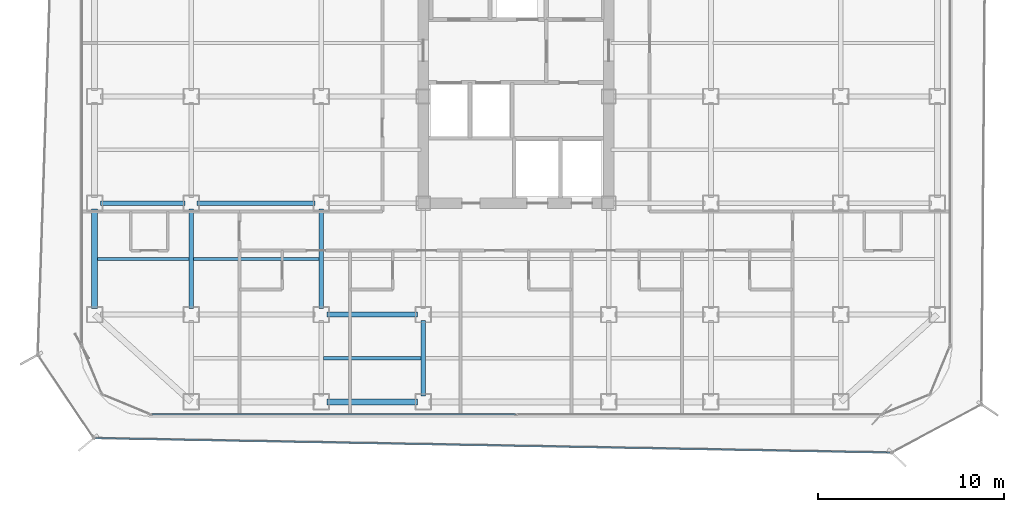
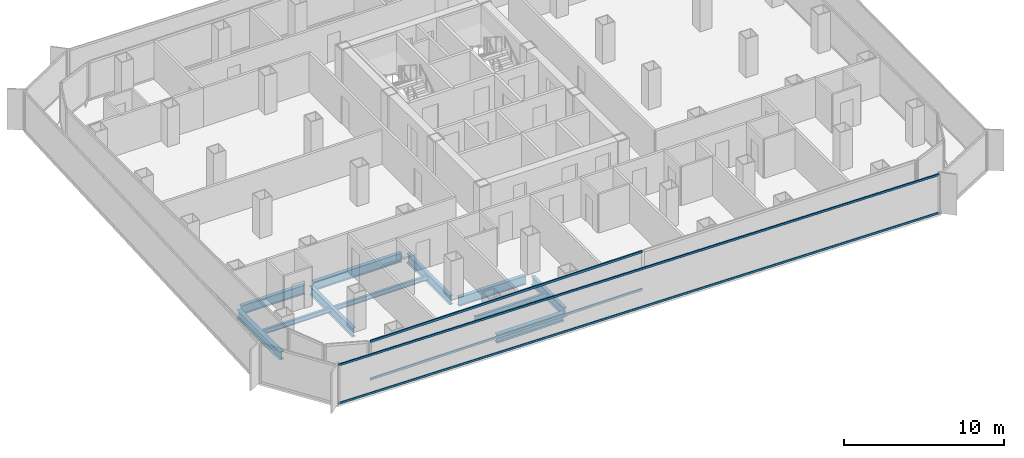
# One storey, part 3 of 21: 11 beams, 4 members, 2 elements without a shape of their own.
"""IFC4 building model written with IfcOpenShell, lengths in metres."""

from ifc_helpers import new_model, si_unit, direction, frame, origin, origin_2d, place, context, subcontext, project, spatial, hollow_rectangle, i_section, extrude, source, transform, mapped, material, layer, layer_set, material_profile, profile_set, type_object, element, aggregate, save


model = new_model("IFC4")

# Units and contexts
model_context = context("Model", 3, precision=1e-05, world=origin(), true_north=direction((0.0, 1.0)))
body_context = subcontext(model_context, "Body", "Model", "MODEL_VIEW")
ifc_project = project(units=[si_unit("LENGTHUNIT", "METRE"), si_unit("AREAUNIT", "SQUARE_METRE"), si_unit("VOLUMEUNIT", "CUBIC_METRE"), si_unit("PLANEANGLEUNIT", "RADIAN"), si_unit("MASSUNIT", "GRAM", prefix="KILO")], contexts=[model_context])

# Site, building, storey
site_placement = place(None, origin())
site = spatial("IfcSite", under=ifc_project, at=site_placement, CompositionType="ELEMENT")
building_placement = place(site_placement, origin())
building = spatial("IfcBuilding", under=site, at=building_placement, Name="Kolveth Station Tower", CompositionType="ELEMENT")
storey_placement = place(building_placement, frame((0.0, 0.0, 111.89990234375)))
storey = spatial("IfcBuildingStorey", under=building, at=storey_placement, Name="L30", CompositionType="ELEMENT", Elevation=111.89990234375)

# Beams
ifc_material_1 = material(Name="Steel S355", Category="steel")
ifc_material_profile_1 = material_profile(ifc_material_1, i_section(OverallWidth=0.323974609375, OverallDepth=0.611083984375, WebThickness=0.0126953125, FlangeThickness=0.01904296875, at=origin_2d()), Name="W610x155")
ifc_profile_set_1 = profile_set([ifc_material_profile_1], Name="Steel S355")
beam_type_1 = type_object("IfcBeamType", Name="Beam_SP2", PredefinedType="SPANDREL", material=ifc_profile_set_1)
shared_shape_1 = source(origin(), body_context, "Body", "SweptSolid", [
    extrude(i_section(OverallWidth=0.323974609375, OverallDepth=0.611083984375, WebThickness=0.0126953125, FlangeThickness=0.01904296875, at=origin_2d()), origin(), (0.0, 0.0, 1.0), 4.85986328125),
])
beam_1_placement = place(storey_placement, frame((13.320068359375, 0.800048828125, -0.555419921875), z_axis=(1.0, 0.0, 0.0), x_axis=(0.0, 1.0, 0.0)))
element("IfcBeam", 1, at=beam_1_placement, inside=storey, type_object=beam_type_1, Name="L30 Perimeter Spandrel BM-L30-PS-2", PredefinedType="SPANDREL", context=body_context, shape_type="MappedRepresentation", body=[
    mapped(shared_shape_1, transform((0.0, 0.0, 0.0), x_axis=(1.0, 0.0, 0.0), y_axis=(0.0, 1.0, 0.0), z_axis=(0.0, 0.0, 1.0), scale=1.0)),
])
shared_shape_2 = source(origin(), body_context, "Body", "SweptSolid", [
    extrude(i_section(OverallWidth=0.323974609375, OverallDepth=0.611083984375, WebThickness=0.0126953125, FlangeThickness=0.01904296875, at=origin_2d()), origin(), (0.0, 0.0, 1.0), 5.35986328125),
])
beam_2_placement = place(storey_placement, frame((0.800048828125, 5.820068359375, -0.555419921875), z_axis=(0.0, 1.0, 0.0), x_axis=(-1.0, 0.0, 0.0)))
element("IfcBeam", 2, at=beam_2_placement, inside=storey, type_object=beam_type_1, Name="L30 Perimeter Spandrel BM-L30-PW-1", PredefinedType="SPANDREL", context=body_context, shape_type="MappedRepresentation", body=[
    mapped(shared_shape_2, transform((0.0, 0.0, 0.0), x_axis=(1.0, 0.0, 0.0), y_axis=(0.0, 1.0, 0.0), z_axis=(0.0, 0.0, 1.0), scale=1.0)),
])
ifc_material_profile_2 = material_profile(ifc_material_1, i_section(OverallWidth=0.25390625, OverallDepth=0.68798828125, WebThickness=0.01318359375, FlangeThickness=0.02099609375, at=origin_2d()), Name="W690x152")
ifc_profile_set_2 = profile_set([ifc_material_profile_2], Name="Steel S355")
beam_type_2 = type_object("IfcBeamType", Name="Beam_B4", PredefinedType="BEAM", material=ifc_profile_set_2)
shared_shape_3 = source(origin(), body_context, "Body", "SweptSolid", [
    extrude(i_section(OverallWidth=0.25390625, OverallDepth=0.68798828125, WebThickness=0.01318359375, FlangeThickness=0.02099609375, at=origin_2d()), origin(), (0.0, 0.0, 1.0), 4.559814453125),
])
beam_3_placement = place(storey_placement, frame((1.1201171875, 11.5, -0.593994140625), z_axis=(1.0, 0.0, 0.0), x_axis=(0.0, 1.0, 0.0)))
element("IfcBeam", 3, at=beam_3_placement, inside=storey, type_object=beam_type_2, Name="L30 Primary Girder BM-L30-GY115-1", PredefinedType="BEAM", context=body_context, shape_type="MappedRepresentation", body=[
    mapped(shared_shape_3, transform((0.0, 0.0, 0.0), x_axis=(1.0, 0.0, 0.0), y_axis=(0.0, 1.0, 0.0), z_axis=(0.0, 0.0, 1.0), scale=1.0)),
])
shared_shape_4 = source(origin(), body_context, "Body", "SweptSolid", [
    extrude(i_section(OverallWidth=0.25390625, OverallDepth=0.68798828125, WebThickness=0.01318359375, FlangeThickness=0.02099609375, at=origin_2d()), origin(), (0.0, 0.0, 1.0), 6.35986328125),
])
beam_4_placement = place(storey_placement, frame((6.320068359375, 11.5, -0.593994140625), z_axis=(1.0, 0.0, 0.0), x_axis=(0.0, 1.0, 0.0)))
element("IfcBeam", 4, at=beam_4_placement, inside=storey, type_object=beam_type_2, Name="L30 Primary Girder BM-L30-GY115-2", PredefinedType="BEAM", context=body_context, shape_type="MappedRepresentation", body=[
    mapped(shared_shape_4, transform((0.0, 0.0, 0.0), x_axis=(1.0, 0.0, 0.0), y_axis=(0.0, 1.0, 0.0), z_axis=(0.0, 0.0, 1.0), scale=1.0)),
])
shared_shape_5 = source(origin(), body_context, "Body", "SweptSolid", [
    extrude(i_section(OverallWidth=0.25390625, OverallDepth=0.68798828125, WebThickness=0.01318359375, FlangeThickness=0.02099609375, at=origin_2d()), origin(), (0.0, 0.0, 1.0), 4.85986328125),
])
beam_5_placement = place(storey_placement, frame((13.320068359375, 5.5, -0.593994140625), z_axis=(1.0, 0.0, 0.0), x_axis=(0.0, 1.0, 0.0)))
element("IfcBeam", 5, at=beam_5_placement, inside=storey, type_object=beam_type_2, Name="L30 Primary Girder BM-L30-GY55-3", PredefinedType="BEAM", context=body_context, shape_type="MappedRepresentation", body=[
    mapped(shared_shape_5, transform((0.0, 0.0, 0.0), x_axis=(1.0, 0.0, 0.0), y_axis=(0.0, 1.0, 0.0), z_axis=(0.0, 0.0, 1.0), scale=1.0)),
])
shared_shape_6 = source(origin(), body_context, "Body", "SweptSolid", [
    extrude(i_section(OverallWidth=0.25390625, OverallDepth=0.68798828125, WebThickness=0.01318359375, FlangeThickness=0.02099609375, at=origin_2d()), origin(), (0.0, 0.0, 1.0), 4.059814453125),
])
beam_6_placement = place(storey_placement, frame((18.5, 1.1201171875, -0.593994140625), z_axis=(0.0, 1.0, 0.0), x_axis=(-1.0, 0.0, 0.0)))
element("IfcBeam", 6, at=beam_6_placement, inside=storey, type_object=beam_type_2, Name="L30 Primary Girder BM-L30-GX185-1", PredefinedType="BEAM", context=body_context, shape_type="MappedRepresentation", body=[
    mapped(shared_shape_6, transform((0.0, 0.0, 0.0), x_axis=(1.0, 0.0, 0.0), y_axis=(0.0, 1.0, 0.0), z_axis=(0.0, 0.0, 1.0), scale=1.0)),
])
shared_shape_7 = source(origin(), body_context, "Body", "SweptSolid", [
    extrude(i_section(OverallWidth=0.25390625, OverallDepth=0.68798828125, WebThickness=0.01318359375, FlangeThickness=0.02099609375, at=origin_2d()), origin(), (0.0, 0.0, 1.0), 5.35986328125),
])
for number, where, z_axis, x_axis, name in (
    (7, (6.0, 5.820068359375, -0.593994140625), (0.0, 1.0, 0.0), (-1.0, 0.0, 0.0), "L30 Primary Girder BM-L30-GX60-2"),
    (8, (13.0, 5.820068359375, -0.593994140625), (0.0, 1.0, 0.0), (-1.0, 0.0, 0.0), "L30 Primary Girder BM-L30-GX130-2"),
):
    element("IfcBeam", number, at=place(storey_placement, frame(where, z_axis=z_axis, x_axis=x_axis)), inside=storey, type_object=beam_type_2, Name=name, PredefinedType="BEAM", context=body_context, shape_type="MappedRepresentation", body=[
        mapped(shared_shape_7, transform((0.0, 0.0, 0.0), x_axis=(1.0, 0.0, 0.0), y_axis=(0.0, 1.0, 0.0), z_axis=(0.0, 0.0, 1.0), scale=1.0)),
    ])
ifc_material_profile_3 = material_profile(ifc_material_1, i_section(OverallWidth=0.1708984375, OverallDepth=0.35205078125, WebThickness=0.0068359375, FlangeThickness=0.009765625, at=origin_2d()), Name="W360x44")
ifc_profile_set_3 = profile_set([ifc_material_profile_3], Name="Steel S355")
beam_type_3 = type_object("IfcBeamType", Name="Beam_J2", PredefinedType="JOIST", material=ifc_profile_set_3)
shared_shape_8 = source(origin(), body_context, "Body", "SweptSolid", [
    extrude(i_section(OverallWidth=0.1708984375, OverallDepth=0.35205078125, WebThickness=0.0068359375, FlangeThickness=0.009765625, at=origin_2d()), origin(), (0.0, 0.0, 1.0), 4.9150390625),
])
beam_7_placement = place(storey_placement, frame((0.9599609375, 8.5, -0.42578125), z_axis=(1.0, 0.0, 0.0), x_axis=(0.0, 1.0, 0.0)))
element("IfcBeam", 9, at=beam_7_placement, inside=storey, type_object=beam_type_3, Name="L30 Secondary Joist JST-L30-1-2", PredefinedType="JOIST", context=body_context, shape_type="MappedRepresentation", body=[
    mapped(shared_shape_8, transform((0.0, 0.0, 0.0), x_axis=(1.0, 0.0, 0.0), y_axis=(0.0, 1.0, 0.0), z_axis=(0.0, 0.0, 1.0), scale=1.0)),
])
shared_shape_9 = source(origin(), body_context, "Body", "SweptSolid", [
    extrude(i_section(OverallWidth=0.1708984375, OverallDepth=0.35205078125, WebThickness=0.0068359375, FlangeThickness=0.009765625, at=origin_2d()), origin(), (0.0, 0.0, 1.0), 6.75),
])
beam_8_placement = place(storey_placement, frame((6.125, 8.5, -0.42578125), z_axis=(1.0, 0.0, 0.0), x_axis=(0.0, 1.0, 0.0)))
element("IfcBeam", 10, at=beam_8_placement, inside=storey, type_object=beam_type_3, Name="L30 Secondary Joist JST-L30-2-2", PredefinedType="JOIST", context=body_context, shape_type="MappedRepresentation", body=[
    mapped(shared_shape_9, transform((0.0, 0.0, 0.0), x_axis=(1.0, 0.0, 0.0), y_axis=(0.0, 1.0, 0.0), z_axis=(0.0, 0.0, 1.0), scale=1.0)),
])
shared_shape_10 = source(origin(), body_context, "Body", "SweptSolid", [
    extrude(i_section(OverallWidth=0.1708984375, OverallDepth=0.35205078125, WebThickness=0.0068359375, FlangeThickness=0.009765625, at=origin_2d()), origin(), (0.0, 0.0, 1.0), 5.25),
])
beam_9_placement = place(storey_placement, frame((13.125, 3.14990234375, -0.42578125), z_axis=(1.0, 0.0, 0.0), x_axis=(0.0, 1.0, 0.0)))
element("IfcBeam", 11, at=beam_9_placement, inside=storey, type_object=beam_type_3, Name="L30 Secondary Joist JST-L30-3-1", PredefinedType="JOIST", context=body_context, shape_type="MappedRepresentation", body=[
    mapped(shared_shape_10, transform((0.0, 0.0, 0.0), x_axis=(1.0, 0.0, 0.0), y_axis=(0.0, 1.0, 0.0), z_axis=(0.0, 0.0, 1.0), scale=1.0)),
])

# Curtain wall, members
ifc_material_2 = material(Name="Aluminium 6063-T6 and low-E dark glass", Category="aluminium")
ifc_layer_1 = layer(ifc_material_2, 0.18994140625)
ifc_layer_set_1 = layer_set([ifc_layer_1], Name="Aluminium 6063-T6 and low-E dark glass")
curtain_wall_type_1 = type_object("IfcCurtainWallType", Name="CurtainWall_CW-Z2", PredefinedType="NOTDEFINED", material=ifc_layer_set_1)
curtain_wall_1_placement = place(storey_placement, origin())
curtain_wall_1 = element("IfcCurtainWall", 12, at=curtain_wall_1_placement, inside=storey, type_object=curtain_wall_type_1, Name="L30 Inner Thermal Curtain Wall 12", PredefinedType="NOTDEFINED")
ifc_material_3 = material(Name="Black anodized aluminium 6063-T6", Category="aluminium")
ifc_material_profile_4 = material_profile(ifc_material_3, hollow_rectangle(XDim=0.080078125, YDim=0.169921875, WallThickness=0.0048828125, at=origin_2d()), Name="ALU-80x170x5")
ifc_profile_set_4 = profile_set([ifc_material_profile_4], Name="Black anodized aluminium 6063-T6")
member_type_1 = type_object("IfcMemberType", Name="Transom_TR2", PredefinedType="USERDEFINED", material=ifc_profile_set_4)
shared_shape_11 = source(origin(), body_context, "Body", "SweptSolid", [
    extrude(hollow_rectangle(XDim=0.080078125, YDim=0.169921875, WallThickness=0.0048828125, at=origin_2d()), origin(), (0.0, 0.0, 1.0), 19.580078125),
])
member_1_placement = place(storey_placement, frame((3.8798828125, 0.1201171875, 0.0400390625), z_axis=(1.0, 0.0, 0.0), x_axis=(0.0, 1.0, 0.0)))
member_1 = element("IfcMember", 13, at=member_1_placement, type_object=member_type_1, Name="CW-Z2 transom 1.1", ObjectType="TRANSOM", PredefinedType="USERDEFINED", context=body_context, shape_type="MappedRepresentation", body=[
    mapped(shared_shape_11, transform((0.0, 0.0, 0.0), x_axis=(1.0, 0.0, 0.0), y_axis=(0.0, 1.0, 0.0), z_axis=(0.0, 0.0, 1.0), scale=1.0)),
])
member_2_placement = place(storey_placement, frame((3.8798828125, 0.1201171875, 2.91015625), z_axis=(1.0, 0.0, 0.0), x_axis=(0.0, 1.0, 0.0)))
member_2 = element("IfcMember", 14, at=member_2_placement, type_object=member_type_1, Name="CW-Z2 transom 1.2", ObjectType="TRANSOM", PredefinedType="USERDEFINED", context=body_context, shape_type="MappedRepresentation", body=[
    mapped(shared_shape_11, transform((0.0, 0.0, 0.0), x_axis=(1.0, 0.0, 0.0), y_axis=(0.0, 1.0, 0.0), z_axis=(0.0, 0.0, 1.0), scale=1.0)),
])
aggregate(curtain_wall_1, [member_1, member_2])

ifc_material_4 = material(Name="Black anodized aluminium 6063-T6 and dark solar glass", Category="aluminium")
ifc_layer_2 = layer(ifc_material_4, 0.159912109375)
ifc_layer_set_2 = layer_set([ifc_layer_2], Name="Black anodized aluminium 6063-T6 and dark solar glass")
curtain_wall_type_2 = type_object("IfcCurtainWallType", Name="OUTER SKIN CW-OS", PredefinedType="NOTDEFINED", material=ifc_layer_set_2)
curtain_wall_2_placement = place(storey_placement, origin())
curtain_wall_2 = element("IfcCurtainWall", 15, at=curtain_wall_2_placement, inside=storey, type_object=curtain_wall_type_2, Name="L30 Outer Ventilated Skin Curtain Wall 8", PredefinedType="NOTDEFINED")
ifc_material_profile_5 = material_profile(ifc_material_3, hollow_rectangle(XDim=0.080078125, YDim=0.14990234375, WallThickness=0.0048828125, at=origin_2d()), Name="ALU-80x150x5")
ifc_profile_set_5 = profile_set([ifc_material_profile_5], Name="Black anodized aluminium 6063-T6")
member_type_2 = type_object("IfcMemberType", Name="Transom_TR-OS", PredefinedType="USERDEFINED", material=ifc_profile_set_5)
shared_shape_12 = source(origin(), body_context, "Body", "SweptSolid", [
    extrude(hollow_rectangle(XDim=0.080078125, YDim=0.14990234375, WallThickness=0.0048828125, at=origin_2d()), origin(), (0.0, 0.0, 1.0), 42.806640625),
])
member_3_placement = place(storey_placement, frame((0.84765625, -1.1572265625, 0.0400390625), z_axis=(0.99983500041, -0.018165130179, 0.0), x_axis=(0.018165130179, 0.99983500041, 0.0)))
member_3 = element("IfcMember", 16, at=member_3_placement, type_object=member_type_2, Name="CW-OS transom 1.1", ObjectType="TRANSOM", PredefinedType="USERDEFINED", context=body_context, shape_type="MappedRepresentation", body=[
    mapped(shared_shape_12, transform((0.0, 0.0, 0.0), x_axis=(1.0, 0.0, 0.0), y_axis=(0.0, 1.0, 0.0), z_axis=(0.0, 0.0, 1.0), scale=1.0)),
])
member_4_placement = place(storey_placement, frame((0.84765625, -1.1572265625, 2.9501953125), z_axis=(0.99983500041, -0.018165130179, 0.0), x_axis=(0.018165130179, 0.99983500041, 0.0)))
member_4 = element("IfcMember", 17, at=member_4_placement, type_object=member_type_2, Name="CW-OS transom 1.2", ObjectType="TRANSOM", PredefinedType="USERDEFINED", context=body_context, shape_type="MappedRepresentation", body=[
    mapped(shared_shape_12, transform((0.0, 0.0, 0.0), x_axis=(1.0, 0.0, 0.0), y_axis=(0.0, 1.0, 0.0), z_axis=(0.0, 0.0, 1.0), scale=1.0)),
])
aggregate(curtain_wall_2, [member_3, member_4])

save(model, "model.ifc")
